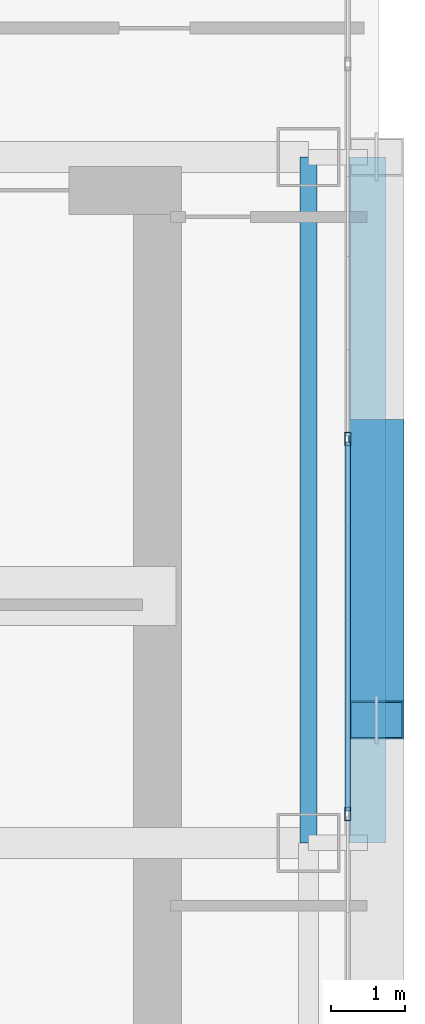
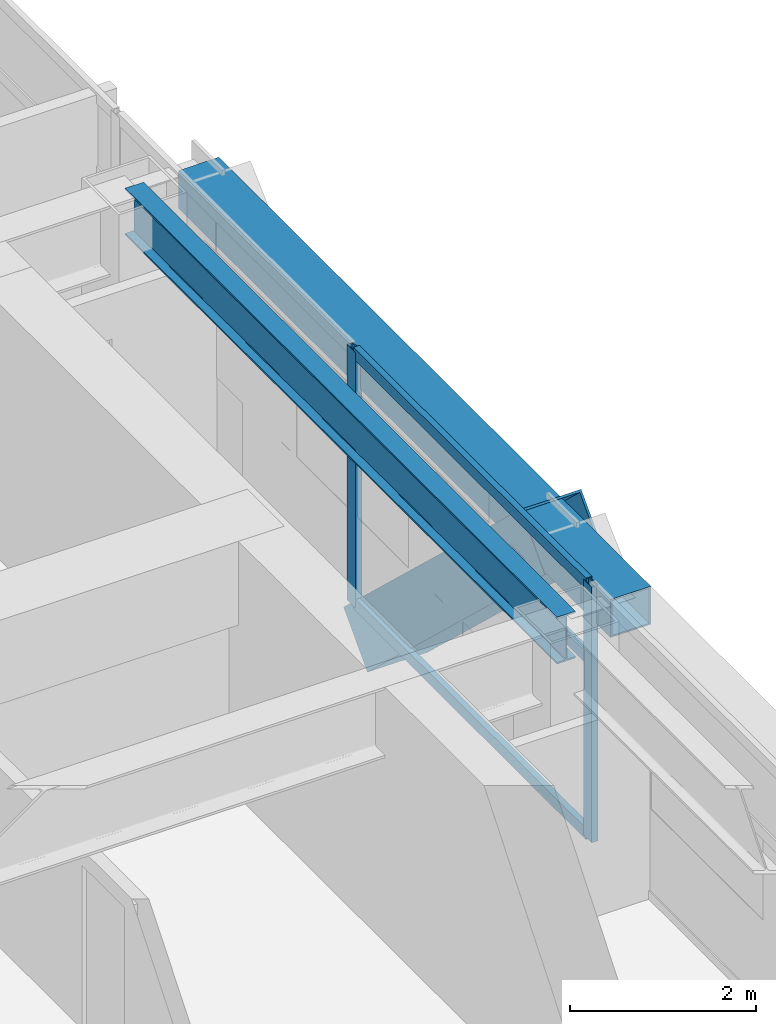
# One storey, part 15 of 36: 6 members, 2 beams, 1 element without a shape of its own.
"""IFC4 building model written with IfcOpenShell, lengths in metres."""

from ifc_helpers import new_model, si_unit, direction, frame, origin, origin_2d, place, context, subcontext, project, spatial, hollow_rectangle, i_section, extrude, source, transform, mapped, material, layer, layer_set, material_profile, profile_set, type_object, element, aggregate, save


model = new_model("IFC4")

# Units and contexts
model_context = context("Model", 3, precision=1e-05, world=origin(), true_north=direction((0.0, 1.0)))
body_context = subcontext(model_context, "Body", "Model", "MODEL_VIEW")
ifc_project = project(units=[si_unit("LENGTHUNIT", "METRE"), si_unit("AREAUNIT", "SQUARE_METRE"), si_unit("VOLUMEUNIT", "CUBIC_METRE"), si_unit("PLANEANGLEUNIT", "RADIAN"), si_unit("MASSUNIT", "GRAM", prefix="KILO")], contexts=[model_context])

# Site, building, storey
site_placement = place(None, origin())
site = spatial("IfcSite", under=ifc_project, at=site_placement, CompositionType="ELEMENT")
building_placement = place(site_placement, origin())
building = spatial("IfcBuilding", under=site, at=building_placement, Name="Ocotamira Hotel", CompositionType="ELEMENT")
storey_placement = place(building_placement, frame((0.0, 0.0, 129.60009765625)))
storey = spatial("IfcBuildingStorey", under=building, at=storey_placement, Name="L32", CompositionType="ELEMENT", Elevation=129.60009765625)

# Beams
ifc_material_1 = material(Name="Steel ASTM A992 Grade 50", Category="steel")
ifc_material_profile_1 = material_profile(ifc_material_1, i_section(OverallWidth=0.22998046875, OverallDepth=0.616943359375, WebThickness=0.01318359375, FlangeThickness=0.022216796875, FilletRadius=0.012939453125, at=origin_2d()), Name="W24X94")
ifc_profile_set_1 = profile_set([ifc_material_profile_1], Name="Steel ASTM A992 Grade 50")
beam_type_1 = type_object("IfcBeamType", Name="BM-PRIM-W24X94", PredefinedType="BEAM", material=ifc_profile_set_1)
shared_shape_1 = source(origin(), body_context, "Body", "SweptSolid", [
    extrude(i_section(OverallWidth=0.22998046875, OverallDepth=0.616943359375, WebThickness=0.01318359375, FlangeThickness=0.022216796875, FilletRadius=0.012939453125, at=origin_2d()), origin(), (0.0, 0.0, 1.0), 9.300048828125),
])
beam_1_placement = place(storey_placement, frame((55.050048828125, 28.14990234375, 3.051513671875), z_axis=(0.0, 1.0, 0.0), x_axis=(-1.0, 0.0, 0.0)))
element("IfcBeam", 1, at=beam_1_placement, inside=storey, type_object=beam_type_1, Name="L32 Beam X55.05 Y28.15-37.45", PredefinedType="BEAM", context=body_context, shape_type="MappedRepresentation", body=[
    mapped(shared_shape_1, transform((0.0, 0.0, 0.0), scale=1.0)),
])
ifc_material_2 = material(Name="Steel ASTM A500 Grade C", Category="steel")
ifc_material_profile_2 = material_profile(ifc_material_2, hollow_rectangle(XDim=0.5, YDim=0.5, WallThickness=0.02001953125, at=origin_2d()), Name="HSS500X500X20")
ifc_profile_set_2 = profile_set([ifc_material_profile_2], Name="Steel ASTM A500 Grade C")
beam_type_2 = type_object("IfcBeamType", Name="BM-SPAN-HSS500", PredefinedType="USERDEFINED", material=ifc_profile_set_2)
shared_shape_2 = source(origin(), body_context, "Body", "SweptSolid", [
    extrude(hollow_rectangle(XDim=0.5, YDim=0.5, WallThickness=0.02001953125, at=origin_2d()), origin(), (0.0, 0.0, 1.0), 9.300048828125),
])
beam_2_placement = place(storey_placement, frame((55.85009765625, 28.14990234375, 3.10986328125), z_axis=(0.0, 1.0, 0.0), x_axis=(-1.0, 0.0, 0.0)))
element("IfcBeam", 2, at=beam_2_placement, inside=storey, type_object=beam_type_2, Name="L32 Edge Spandrel E Y28.15-37.45", ObjectType="SPANDREL", PredefinedType="USERDEFINED", context=body_context, shape_type="MappedRepresentation", body=[
    mapped(shared_shape_2, transform((0.0, 0.0, 0.0), scale=1.0)),
])

# Member
ifc_material_3 = material(Name="Pale-metal coated steel ASTM A913 Grade 65", Category="steel")
ifc_material_profile_3 = material_profile(ifc_material_3, hollow_rectangle(XDim=0.75, YDim=0.75, WallThickness=0.028076171875, at=origin_2d()), Name="BOX750X750X28")
ifc_profile_set_3 = profile_set([ifc_material_profile_3], Name="Pale-metal coated steel ASTM A913 Grade 65")
member_type_1 = type_object("IfcMemberType", Name="MEM-EXO-BOX750", PredefinedType="BRACE", material=ifc_profile_set_3)
shared_shape_3 = source(origin(), body_context, "Body", "SweptSolid", [
    extrude(hollow_rectangle(XDim=0.75, YDim=0.75, WallThickness=0.028076171875, at=origin_2d()), origin(), (0.0, 0.0, 1.0), 5.24658203125),
])
member_1_placement = place(storey_placement, frame((55.969970703125, 33.63330078125, -0.489990234375), z_axis=(0.0, -0.72746596067, 0.686143772154), x_axis=(1.0, 0.0, 0.0)))
element("IfcMember", 3, at=member_1_placement, inside=storey, type_object=member_type_1, Name="L32 Exoskeleton Diagrid E2.1", PredefinedType="BRACE", context=body_context, shape_type="MappedRepresentation", body=[
    mapped(shared_shape_3, transform((0.0, 0.0, 0.0), scale=1.0)),
])

# Curtain wall, members
ifc_material_4 = material(Name="Anodised pale-metal aluminium and solar glass", Category="aluminium")
ifc_layer = layer(ifc_material_4, 0.179931640625)
ifc_layer_set = layer_set([ifc_layer], Name="Anodised pale-metal aluminium and solar glass")
curtain_wall_type = type_object("IfcCurtainWallType", Name="CW-SYS3-Z2", PredefinedType="NOTDEFINED", material=ifc_layer_set)
curtain_wall_placement = place(storey_placement, origin())
curtain_wall = element("IfcCurtainWall", 4, at=curtain_wall_placement, inside=storey, type_object=curtain_wall_type, Name="L32 Curtain Wall CW-3 CW-L32-E", PredefinedType="NOTDEFINED")
ifc_material_5 = material(Name="Anodised pale-metal aluminium 6063-T6", Category="aluminium")
ifc_material_profile_4 = material_profile(ifc_material_5, hollow_rectangle(XDim=0.074951171875, YDim=0.14990234375, WallThickness=0.006103515625, at=origin_2d()), Name="HSS150X75X6")
ifc_profile_set_4 = profile_set([ifc_material_profile_4], Name="Anodised pale-metal aluminium 6063-T6")
member_type_2 = type_object("IfcMemberType", Name="CWT-150X75", PredefinedType="USERDEFINED", material=ifc_profile_set_4)
shared_shape_4 = source(origin(), body_context, "Body", "SweptSolid", [
    extrude(hollow_rectangle(XDim=0.074951171875, YDim=0.14990234375, WallThickness=0.006103515625, at=origin_2d()), origin(), (0.0, 0.0, 1.0), 5.005859375),
])
member_2_placement = place(storey_placement, frame((55.580078125, 28.582763671875, 0.037353515625), z_axis=(0.0, 1.0, 0.0), x_axis=(-1.0, 0.0, 0.0)))
member_2 = element("IfcMember", 5, at=member_2_placement, type_object=member_type_2, Name="CW-3 transom 5.1", ObjectType="TRANSOM", PredefinedType="USERDEFINED", context=body_context, shape_type="MappedRepresentation", body=[
    mapped(shared_shape_4, transform((0.0, 0.0, 0.0), scale=1.0)),
])
member_3_placement = place(storey_placement, frame((55.580078125, 28.582763671875, 2.349853515625), z_axis=(0.0, 1.0, 0.0), x_axis=(-1.0, 0.0, 0.0)))
member_3 = element("IfcMember", 6, at=member_3_placement, type_object=member_type_2, Name="CW-3 transom 5.2", ObjectType="TRANSOM", PredefinedType="USERDEFINED", context=body_context, shape_type="MappedRepresentation", body=[
    mapped(shared_shape_4, transform((0.0, 0.0, 0.0), scale=1.0)),
])
member_4_placement = place(storey_placement, frame((55.580078125, 28.582763671875, 3.322509765625), z_axis=(0.0, 1.0, 0.0), x_axis=(-1.0, 0.0, 0.0)))
member_4 = element("IfcMember", 7, at=member_4_placement, type_object=member_type_2, Name="CW-3 transom 5.3", ObjectType="TRANSOM", PredefinedType="USERDEFINED", context=body_context, shape_type="MappedRepresentation", body=[
    mapped(shared_shape_4, transform((0.0, 0.0, 0.0), scale=1.0)),
])
ifc_material_profile_5 = material_profile(ifc_material_5, hollow_rectangle(XDim=0.080078125, YDim=0.179931640625, WallThickness=0.006103515625, at=origin_2d()), Name="HSS180X80X6")
ifc_profile_set_5 = profile_set([ifc_material_profile_5], Name="Anodised pale-metal aluminium 6063-T6")
member_type_3 = type_object("IfcMemberType", Name="CWM-180X75", PredefinedType="MULLION", material=ifc_profile_set_5)
shared_shape_5 = source(origin(), body_context, "Body", "SweptSolid", [
    extrude(hollow_rectangle(XDim=0.080078125, YDim=0.179931640625, WallThickness=0.006103515625, at=origin_2d()), origin(), (0.0, 0.0, 1.0), 3.35986328125),
])
member_5_placement = place(storey_placement, frame((55.580078125, 28.54296875, 0.0), z_axis=(0.0, 0.0, 1.0), x_axis=(-1.0, 0.0, 0.0)))
member_5 = element("IfcMember", 8, at=member_5_placement, type_object=member_type_3, Name="CW-3 mullion 5", PredefinedType="MULLION", context=body_context, shape_type="MappedRepresentation", body=[
    mapped(shared_shape_5, transform((0.0, 0.0, 0.0), scale=1.0)),
])
member_6_placement = place(storey_placement, frame((55.580078125, 33.628662109375, 0.0), z_axis=(0.0, 0.0, 1.0), x_axis=(-1.0, 0.0, 0.0)))
member_6 = element("IfcMember", 9, at=member_6_placement, type_object=member_type_3, Name="CW-3 mullion 6", PredefinedType="MULLION", context=body_context, shape_type="MappedRepresentation", body=[
    mapped(shared_shape_5, transform((0.0, 0.0, 0.0), scale=1.0)),
])
aggregate(curtain_wall, [member_5, member_6, member_2, member_3, member_4])

save(model, "model.ifc")
